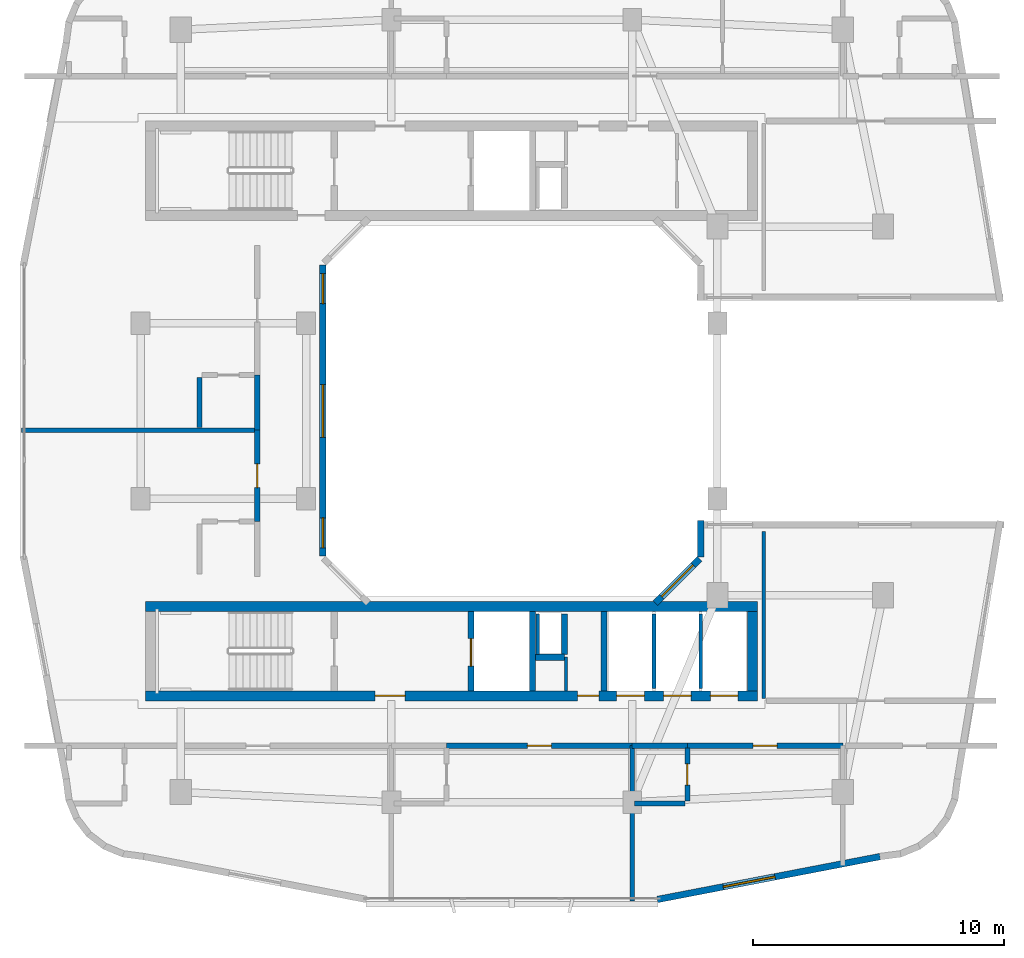
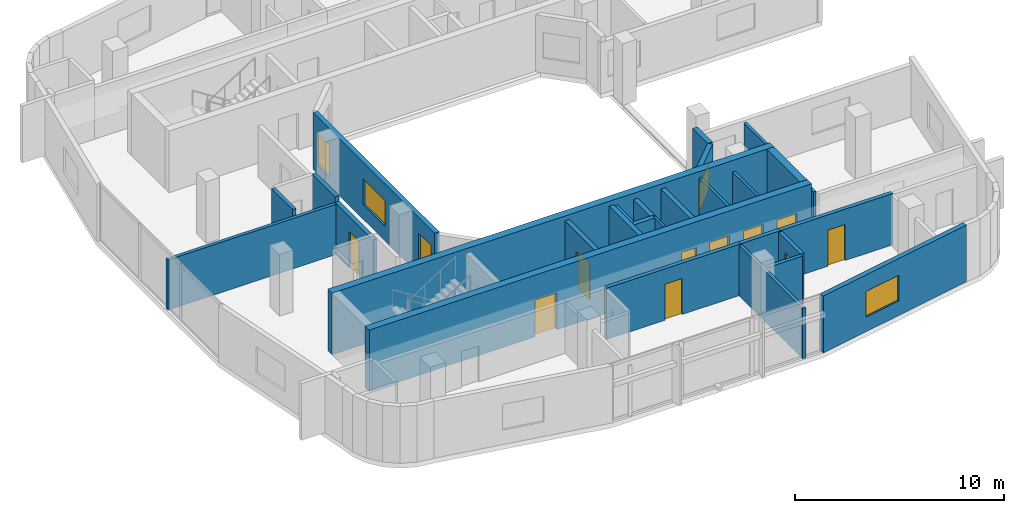
# One storey, part 5 of 12: 27 walls, 10 doors, 5 windows, 15 openings.
"""IFC4 building model written with IfcOpenShell, lengths in metres."""

from ifc_helpers import new_model, si_unit, derived_unit, direction, frame, frame_2d, origin, place, context, subcontext, project, spatial, rectangle, extrude, material, layer, layer_set, type_object, element, fill, save


model = new_model("IFC4")

# Units and contexts
model_context = context("Model", 3, precision=1e-05, world=origin(), true_north=direction((0.0, 1.0)))
body_context = subcontext(model_context, "Body", "Model", "MODEL_VIEW")
ifc_project = project(units=[si_unit("LENGTHUNIT", "METRE"), si_unit("AREAUNIT", "SQUARE_METRE"), si_unit("VOLUMEUNIT", "CUBIC_METRE"), si_unit("PLANEANGLEUNIT", "RADIAN"), si_unit("MASSUNIT", "GRAM", prefix="KILO"), derived_unit("THERMALTRANSMITTANCEUNIT", [(si_unit("POWERUNIT", "WATT"), 1), (si_unit("LENGTHUNIT", "METRE"), -2), (si_unit("THERMODYNAMICTEMPERATUREUNIT", "KELVIN"), -1)])], contexts=[model_context])

# Site, building, storey
site_placement = place(None, origin())
site = spatial("IfcSite", under=ifc_project, at=site_placement, CompositionType="ELEMENT")
building_placement = place(site_placement, origin())
building = spatial("IfcBuilding", under=site, at=building_placement, Name="Kivonza Crest Hotel", CompositionType="ELEMENT")
storey_placement = place(building_placement, frame((0.0, 0.0, 184.699951171875)))
storey = spatial("IfcBuildingStorey", under=building, at=storey_placement, Name="L50", CompositionType="ELEMENT", Elevation=184.699951171875)

# Walls
ifc_material_1 = material(Name="High-density acoustic masonry inter-tenancy wall", Category="masonry")
ifc_layer_1 = layer(ifc_material_1, 0.179931640625)
ifc_layer_set_1 = layer_set([ifc_layer_1], Name="High-density acoustic masonry inter-tenancy wall")
wall_type_1 = type_object("IfcWallType", Name="WL-ACOU-180", PredefinedType="SOLIDWALL", material=ifc_layer_set_1)
wall_1_placement = place(storey_placement, frame((25.800048828125, 5.4599609375, 0.0), z_axis=(0.0, 0.0, 1.0), x_axis=(0.0, 1.0, 0.0)))
element("IfcWall", 1, at=wall_1_placement, inside=storey, type_object=wall_type_1, Name="L50 interior partition WA-L50-T1S-DIV2", PredefinedType="SOLIDWALL", context=body_context, shape_type="SweptSolid", body=[
    extrude(rectangle(XDim=6.18994140625, YDim=0.179931640625, at=frame_2d((3.094970703125, 0.0))), origin(), (0.0, 0.0, 1.0), 2.93505859375),
])
wall_2_placement = place(storey_placement, frame((1.4599609375, 24.22998046875, 0.0), z_axis=(0.0, 0.0, 1.0), x_axis=(1.0, 0.0, 0.0)))
element("IfcWall", 2, at=wall_2_placement, inside=storey, type_object=wall_type_1, Name="L50 interior partition WA-L50-T1W-DIV1", PredefinedType="SOLIDWALL", context=body_context, shape_type="SweptSolid", body=[
    extrude(rectangle(XDim=9.39013671875, YDim=0.179931640625, at=frame_2d((4.695068359375, 0.0))), origin(), (0.0, 0.0, 1.0), 2.93505859375),
])

# Wall, opening, door
ifc_material_2 = material(Name="Autoclaved aerated concrete blockwork", Category="masonry")
ifc_layer_2 = layer(ifc_material_2, 0.219970703125)
ifc_layer_set_2 = layer_set([ifc_layer_2], Name="Autoclaved aerated concrete blockwork")
wall_type_2 = type_object("IfcWallType", Name="WL-ACOU-220", PredefinedType="SOLIDWALL", material=ifc_layer_set_2)
wall_3_placement = place(storey_placement, frame((18.39990234375, 11.64990234375, 0.0), z_axis=(0.0, 0.0, 1.0), x_axis=(1.0, 0.0, 0.0)))
wall_3 = element("IfcWall", 3, at=wall_3_placement, inside=storey, type_object=wall_type_2, Name="L50 interior partition WA-L50-S05-MCORR", PredefinedType="SOLIDWALL", context=body_context, shape_type="SweptSolid", body=[
    extrude(rectangle(XDim=7.400146484375, YDim=0.219970703125, at=frame_2d((3.7001953125, 0.0))), origin(), (0.0, 0.0, 1.0), 2.9951171875),
])
opening_1_placement = place(wall_3_placement, frame((3.22509765625, 0.0, 0.0)))
opening_1 = element("IfcOpeningElement", 4, at=opening_1_placement, cuts=wall_3, Name="Opening DU-60", PredefinedType="OPENING", context=body_context, shape_type="SweptSolid", body=[
    extrude(rectangle(XDim=0.949951171875, YDim=2.10009765625, at=frame_2d((0.47509765625, 1.050048828125))), frame((0.0, 0.1201171875, 0.0), z_axis=(0.0, -1.0, 0.0), x_axis=(1.0, 0.0, 0.0)), (0.0, 0.0, 1.0), 0.239990234375),
])
ifc_material_3 = material(Name="Hardwood timber oak", Category="wood")
door_type_1 = type_object("IfcDoorType", Name="DR-UNIT-950", OperationType="NOTDEFINED", PredefinedType="DOOR", material=ifc_material_3)
door_1_placement = place(opening_1_placement, frame((0.949951171875, 0.0, 0.0), z_axis=(0.0, 0.0, 1.0), x_axis=(-1.0, 0.0, 0.0)))
door_1 = element("IfcDoor", 5, at=door_1_placement, inside=storey, type_object=door_type_1, Name="L50 S05 guest unit entrance fire door", OperationType="SINGLE_SWING_LEFT", OverallHeight=2.10009765625, OverallWidth=0.949951171875, PredefinedType="DOOR", context=body_context, shape_type="SweptSolid", body=[
    extrude(rectangle(XDim=0.949951171875, YDim=2.10009765625, at=frame_2d((0.47509765625, 1.050048828125))), frame((0.0, 0.02490234375, 0.0), z_axis=(0.0, -1.0, 0.0), x_axis=(1.0, 0.0, 0.0)), (0.0, 0.0, 1.0), 0.050048828125),
])
fill(opening_1, door_1)

# Wall
wall_4_placement = place(storey_placement, frame((25.800048828125, 11.64990234375, 0.0), z_axis=(0.0, 0.0, 1.0), x_axis=(1.0, 0.0, 0.0)))
element("IfcWall", 6, at=wall_4_placement, inside=storey, type_object=wall_type_2, Name="L50 interior partition WA-L50-S06-BCORR", PredefinedType="SOLIDWALL", context=body_context, shape_type="SweptSolid", body=[
    extrude(rectangle(XDim=2.199951171875, YDim=0.219970703125, at=frame_2d((1.10009765625, 0.0))), origin(), (0.0, 0.0, 1.0), 2.9951171875),
])

# Wall, opening, door
wall_5_placement = place(storey_placement, frame((28.0, 11.64990234375, 0.0), z_axis=(0.0, 0.0, 1.0), x_axis=(1.0, 0.0, 0.0)))
wall_5 = element("IfcWall", 7, at=wall_5_placement, inside=storey, type_object=wall_type_2, Name="L50 interior partition WA-L50-S06-MCORR", PredefinedType="SOLIDWALL", context=body_context, shape_type="SweptSolid", body=[
    extrude(rectangle(XDim=6.199951171875, YDim=0.219970703125, at=frame_2d((3.10009765625, 0.0))), origin(), (0.0, 0.0, 1.0), 2.9951171875),
])
opening_2_placement = place(wall_5_placement, frame((2.625, 0.0, 0.0)))
opening_2 = element("IfcOpeningElement", 8, at=opening_2_placement, cuts=wall_5, Name="Opening DU-60", PredefinedType="OPENING", context=body_context, shape_type="SweptSolid", body=[
    extrude(rectangle(XDim=0.949951171875, YDim=2.10009765625, at=frame_2d((0.47509765625, 1.050048828125))), frame((0.0, 0.1201171875, 0.0), z_axis=(0.0, -1.0, 0.0), x_axis=(1.0, 0.0, 0.0)), (0.0, 0.0, 1.0), 0.239990234375),
])
door_2_placement = place(opening_2_placement, frame((0.949951171875, 0.0, 0.0), z_axis=(0.0, 0.0, 1.0), x_axis=(-1.0, 0.0, 0.0)))
door_2 = element("IfcDoor", 9, at=door_2_placement, inside=storey, type_object=door_type_1, Name="L50 S06 guest unit entrance fire door", OperationType="SINGLE_SWING_RIGHT", OverallHeight=2.10009765625, OverallWidth=0.949951171875, PredefinedType="DOOR", context=body_context, shape_type="SweptSolid", body=[
    extrude(rectangle(XDim=0.949951171875, YDim=2.10009765625, at=frame_2d((0.47509765625, 1.050048828125))), frame((0.0, 0.02490234375, 0.0), z_axis=(0.0, -1.0, 0.0), x_axis=(1.0, 0.0, 0.0)), (0.0, 0.0, 1.0), 0.050048828125),
])
fill(opening_2, door_2)

wall_6_placement = place(storey_placement, frame((10.85009765625, 20.60009765625, 0.0), z_axis=(0.0, 0.0, 1.0), x_axis=(0.0, 1.0, 0.0)))
wall_6 = element("IfcWall", 10, at=wall_6_placement, inside=storey, type_object=wall_type_2, Name="L50 interior partition WA-L50-W07-MCORR", PredefinedType="SOLIDWALL", context=body_context, shape_type="SweptSolid", body=[
    extrude(rectangle(XDim=3.6298828125, YDim=0.219970703125, at=frame_2d((1.81494140625, 0.0))), origin(), (0.0, 0.0, 1.0), 2.9951171875),
])
opening_3_placement = place(wall_6_placement, frame((1.340087890625, 0.0, 0.0)))
opening_3 = element("IfcOpeningElement", 11, at=opening_3_placement, cuts=wall_6, Name="Opening DU-60", PredefinedType="OPENING", context=body_context, shape_type="SweptSolid", body=[
    extrude(rectangle(XDim=0.949951171875, YDim=2.10009765625, at=frame_2d((0.47509765625, 1.050048828125))), frame((0.0, 0.1201171875, 0.0), z_axis=(0.0, -1.0, 0.0), x_axis=(1.0, 0.0, 0.0)), (0.0, 0.0, 1.0), 0.239990234375),
])
door_3_placement = place(opening_3_placement, origin())
door_3 = element("IfcDoor", 12, at=door_3_placement, inside=storey, type_object=door_type_1, Name="L50 W07 guest unit entrance fire door", OperationType="SINGLE_SWING_LEFT", OverallHeight=2.10009765625, OverallWidth=0.949951171875, PredefinedType="DOOR", context=body_context, shape_type="SweptSolid", body=[
    extrude(rectangle(XDim=0.949951171875, YDim=2.10009765625, at=frame_2d((0.47509765625, 1.050048828125))), frame((0.0, 0.02490234375, 0.0), z_axis=(0.0, -1.0, 0.0), x_axis=(1.0, 0.0, 0.0)), (0.0, 0.0, 1.0), 0.050048828125),
])
fill(opening_3, door_3)

# Wall
wall_7_placement = place(storey_placement, frame((10.85009765625, 24.22998046875, 0.0), z_axis=(0.0, 0.0, 1.0), x_axis=(0.0, 1.0, 0.0)))
element("IfcWall", 13, at=wall_7_placement, inside=storey, type_object=wall_type_2, Name="L50 interior partition WA-L50-W08-BCORR", PredefinedType="SOLIDWALL", context=body_context, shape_type="SweptSolid", body=[
    extrude(rectangle(XDim=2.199951171875, YDim=0.219970703125, at=frame_2d((1.10009765625, 0.0))), origin(), (0.0, 0.0, 1.0), 3.320068359375),
])

# Wall, openings, doors
ifc_material_4 = material(Name="Concrete C50/60", Category="concrete")
ifc_layer_3 = layer(ifc_material_4, 0.39990234375)
ifc_layer_set_3 = layer_set([ifc_layer_3], Name="Concrete C50/60")
wall_type_3 = type_object("IfcWallType", Name="WL-CORE-400", PredefinedType="SHEAR", material=ifc_layer_set_3)
wall_8_placement = place(storey_placement, frame((6.39990234375, 13.639892578125, 0.0), z_axis=(0.0, 0.0, 1.0), x_axis=(1.0, 0.0, 0.0)))
wall_8 = element("IfcWall", 14, at=wall_8_placement, inside=storey, type_object=wall_type_3, Name="Core wall T1-S South L50", PredefinedType="SHEAR", context=body_context, shape_type="SweptSolid", body=[
    extrude(rectangle(XDim=24.400146484375, YDim=0.39990234375, at=frame_2d((12.2001953125, 0.0))), origin(), (0.0, 0.0, 1.0), 3.60009765625),
])
opening_4_placement = place(wall_8_placement, frame((9.14990234375, 0.0, 0.0)))
opening_4 = element("IfcOpeningElement", 15, at=opening_4_placement, cuts=wall_8, Name="Opening DF-60", PredefinedType="OPENING", context=body_context, shape_type="SweptSolid", body=[
    extrude(rectangle(XDim=1.199951171875, YDim=2.14990234375, at=frame_2d((0.60009765625, 1.074951171875))), frame((0.0, 0.2099609375, 0.0), z_axis=(0.0, -1.0, 0.0), x_axis=(1.0, 0.0, 0.0)), (0.0, 0.0, 1.0), 0.419921875),
])
opening_5_placement = place(wall_8_placement, frame((17.219970703125, 0.0, 0.0)))
opening_5 = element("IfcOpeningElement", 16, at=opening_5_placement, cuts=wall_8, Name="Opening DF-60R", PredefinedType="OPENING", context=body_context, shape_type="SweptSolid", body=[
    extrude(rectangle(XDim=0.85009765625, YDim=2.10009765625, at=frame_2d((0.425048828125, 1.050048828125))), frame((0.0, 0.2099609375, 0.0), z_axis=(0.0, -1.0, 0.0), x_axis=(1.0, 0.0, 0.0)), (0.0, 0.0, 1.0), 0.419921875),
])
opening_6_placement = place(wall_8_placement, frame((18.782958984375, 0.0, 0.0)))
opening_6 = element("IfcOpeningElement", 17, at=opening_6_placement, cuts=wall_8, Name="Opening LD-120", PredefinedType="OPENING", context=body_context, shape_type="SweptSolid", body=[
    extrude(rectangle(XDim=1.10009765625, YDim=2.14990234375, at=frame_2d((0.550048828125, 1.074951171875))), frame((0.0, 0.2099609375, 0.0), z_axis=(0.0, -1.0, 0.0), x_axis=(1.0, 0.0, 0.0)), (0.0, 0.0, 1.0), 0.419921875),
])
opening_7_placement = place(wall_8_placement, frame((20.64990234375, 0.0, 0.0)))
opening_7 = element("IfcOpeningElement", 18, at=opening_7_placement, cuts=wall_8, Name="Opening LD-120", PredefinedType="OPENING", context=body_context, shape_type="SweptSolid", body=[
    extrude(rectangle(XDim=1.10009765625, YDim=2.14990234375, at=frame_2d((0.550048828125, 1.074951171875))), frame((0.0, 0.2099609375, 0.0), z_axis=(0.0, -1.0, 0.0), x_axis=(1.0, 0.0, 0.0)), (0.0, 0.0, 1.0), 0.419921875),
])
opening_8_placement = place(wall_8_placement, frame((22.51708984375, 0.0, 0.0)))
opening_8 = element("IfcOpeningElement", 19, at=opening_8_placement, cuts=wall_8, Name="Opening LD-120", PredefinedType="OPENING", context=body_context, shape_type="SweptSolid", body=[
    extrude(rectangle(XDim=1.10009765625, YDim=2.14990234375, at=frame_2d((0.550048828125, 1.074951171875))), frame((0.0, 0.2099609375, 0.0), z_axis=(0.0, -1.0, 0.0), x_axis=(1.0, 0.0, 0.0)), (0.0, 0.0, 1.0), 0.419921875),
])
door_type_2 = type_object("IfcDoorType", Name="DR-FD60-1200", OperationType="NOTDEFINED", PredefinedType="DOOR", material=ifc_material_3)
door_4_placement = place(opening_4_placement, frame((1.199951171875, 0.0, 0.0), z_axis=(0.0, 0.0, 1.0), x_axis=(-1.0, 0.0, 0.0)))
door_4 = element("IfcDoor", 20, at=door_4_placement, inside=storey, type_object=door_type_2, Name="L50 T1-S firefighting lobby fire door", OperationType="SINGLE_SWING_LEFT", OverallHeight=2.14990234375, OverallWidth=1.199951171875, PredefinedType="DOOR", context=body_context, shape_type="SweptSolid", body=[
    extrude(rectangle(XDim=1.199951171875, YDim=2.14990234375, at=frame_2d((0.60009765625, 1.074951171875))), frame((0.0, 0.02490234375, 0.0), z_axis=(0.0, -1.0, 0.0), x_axis=(1.0, 0.0, 0.0)), (0.0, 0.0, 1.0), 0.050048828125),
])
fill(opening_4, door_4)
door_type_3 = type_object("IfcDoorType", Name="DR-FD60-850", OperationType="NOTDEFINED", PredefinedType="DOOR", material=ifc_material_3)
door_5_placement = place(opening_5_placement, frame((0.85009765625, 0.0, 0.0), z_axis=(0.0, 0.0, 1.0), x_axis=(-1.0, 0.0, 0.0)))
door_5 = element("IfcDoor", 21, at=door_5_placement, inside=storey, type_object=door_type_3, Name="L50 T1-S core room door", OperationType="SINGLE_SWING_RIGHT", OverallHeight=2.10009765625, OverallWidth=0.85009765625, PredefinedType="DOOR", context=body_context, shape_type="SweptSolid", body=[
    extrude(rectangle(XDim=0.85009765625, YDim=2.10009765625, at=frame_2d((0.425048828125, 1.050048828125))), frame((0.0, 0.02490234375, 0.0), z_axis=(0.0, -1.0, 0.0), x_axis=(1.0, 0.0, 0.0)), (0.0, 0.0, 1.0), 0.050048828125),
])
fill(opening_5, door_5)
ifc_material_5 = material(Name="Stainless steel", Category="steel")
door_type_4 = type_object("IfcDoorType", Name="DR-LD120-1100", OperationType="NOTDEFINED", PredefinedType="DOOR", material=ifc_material_5)
door_6_placement = place(opening_6_placement, frame((1.10009765625, 0.0, 0.0), z_axis=(0.0, 0.0, 1.0), x_axis=(-1.0, 0.0, 0.0)))
door_6 = element("IfcDoor", 22, at=door_6_placement, inside=storey, type_object=door_type_4, Name="L50 PL-T1-H1 passenger lift sliding landing door", OperationType="DOUBLE_DOOR_SLIDING", OverallHeight=2.14990234375, OverallWidth=1.10009765625, PredefinedType="DOOR", context=body_context, shape_type="SweptSolid", body=[
    extrude(rectangle(XDim=1.10009765625, YDim=2.14990234375, at=frame_2d((0.550048828125, 1.074951171875))), frame((0.0, 0.02490234375, 0.0), z_axis=(0.0, -1.0, 0.0), x_axis=(1.0, 0.0, 0.0)), (0.0, 0.0, 1.0), 0.050048828125),
])
fill(opening_6, door_6)
door_7_placement = place(opening_7_placement, frame((1.10009765625, 0.0, 0.0), z_axis=(0.0, 0.0, 1.0), x_axis=(-1.0, 0.0, 0.0)))
door_7 = element("IfcDoor", 23, at=door_7_placement, inside=storey, type_object=door_type_4, Name="L50 PL-T1-H2 passenger lift sliding landing door", OperationType="DOUBLE_DOOR_SLIDING", OverallHeight=2.14990234375, OverallWidth=1.10009765625, PredefinedType="DOOR", context=body_context, shape_type="SweptSolid", body=[
    extrude(rectangle(XDim=1.10009765625, YDim=2.14990234375, at=frame_2d((0.550048828125, 1.074951171875))), frame((0.0, 0.02490234375, 0.0), z_axis=(0.0, -1.0, 0.0), x_axis=(1.0, 0.0, 0.0)), (0.0, 0.0, 1.0), 0.050048828125),
])
fill(opening_7, door_7)
door_8_placement = place(opening_8_placement, frame((1.10009765625, 0.0, 0.0), z_axis=(0.0, 0.0, 1.0), x_axis=(-1.0, 0.0, 0.0)))
door_8 = element("IfcDoor", 24, at=door_8_placement, inside=storey, type_object=door_type_4, Name="L50 PL-T1-H3 passenger lift sliding landing door", OperationType="DOUBLE_DOOR_SLIDING", OverallHeight=2.14990234375, OverallWidth=1.10009765625, PredefinedType="DOOR", context=body_context, shape_type="SweptSolid", body=[
    extrude(rectangle(XDim=1.10009765625, YDim=2.14990234375, at=frame_2d((0.550048828125, 1.074951171875))), frame((0.0, 0.02490234375, 0.0), z_axis=(0.0, -1.0, 0.0), x_axis=(1.0, 0.0, 0.0)), (0.0, 0.0, 1.0), 0.050048828125),
])
fill(opening_8, door_8)

# Walls
wall_9_placement = place(storey_placement, frame((6.39990234375, 17.199951171875, 0.0), z_axis=(0.0, 0.0, 1.0), x_axis=(1.0, 0.0, 0.0)))
element("IfcWall", 25, at=wall_9_placement, inside=storey, type_object=wall_type_3, Name="Core wall T1-S North L50", PredefinedType="SHEAR", context=body_context, shape_type="SweptSolid", body=[
    extrude(rectangle(XDim=24.400146484375, YDim=0.39990234375, at=frame_2d((12.2001953125, 0.0))), origin(), (0.0, 0.0, 1.0), 3.60009765625),
])
wall_10_placement = place(storey_placement, frame((30.60009765625, 13.840087890625, 0.0), z_axis=(0.0, 0.0, 1.0), x_axis=(0.0, 1.0, 0.0)))
element("IfcWall", 26, at=wall_10_placement, inside=storey, type_object=wall_type_3, Name="Core wall T1-S East L50", PredefinedType="SHEAR", context=body_context, shape_type="SweptSolid", body=[
    extrude(rectangle(XDim=3.159912109375, YDim=0.39990234375, at=frame_2d((1.580078125, 0.0))), origin(), (0.0, 0.0, 1.0), 3.60009765625),
])

# Wall, opening, window
ifc_material_6 = material(Name="Precast concrete C40/50", Category="concrete")
ifc_layer_4 = layer(ifc_material_6, 0.260009765625)
ifc_layer_set_4 = layer_set([ifc_layer_4], Name="Precast concrete C40/50")
wall_type_4 = type_object("IfcWallType", Name="WL-EXT-260", PredefinedType="STANDARD", material=ifc_layer_set_4)
wall_11_placement = place(storey_placement, frame((26.801025390625, 5.51806640625, 0.0), z_axis=(0.0, 0.0, 1.0), x_axis=(0.98192801022, 0.189254809039, 0.0)))
wall_11 = element("IfcWall", 27, at=wall_11_placement, inside=storey, type_object=wall_type_4, Name="L50 T1 exterior insulated wall 9", PredefinedType="STANDARD", context=body_context, shape_type="SweptSolid", body=[
    extrude(rectangle(XDim=9.045654296875, YDim=0.260009765625, at=frame_2d((4.52294921875, 0.0))), origin(), (0.0, 0.0, 1.0), 3.320068359375),
])
opening_9_placement = place(wall_11_placement, frame((2.680908203125, 0.0, 0.85009765625)))
opening_9 = element("IfcOpeningElement", 28, at=opening_9_placement, cuts=wall_11, Name="Opening WN-04", PredefinedType="OPENING", context=body_context, shape_type="SweptSolid", body=[
    extrude(rectangle(XDim=2.10009765625, YDim=1.5, at=frame_2d((1.050048828125, 0.75))), frame((0.0, 0.14013671875, 0.0), z_axis=(0.0, -1.0, 0.0), x_axis=(1.0, 0.0, 0.0)), (0.0, 0.0, 1.0), 0.280029296875),
])
ifc_material_7 = material(Name="Thermally broken bronze aluminium and low-E double glazing", Category="aluminium")
window_type_1 = type_object("IfcWindowType", Name="WN-210x150", PartitioningType="DOUBLE_PANEL_VERTICAL", PredefinedType="WINDOW", material=ifc_material_7)
window_1_placement = place(opening_9_placement, origin())
window_1 = element("IfcWindow", 29, at=window_1_placement, inside=storey, type_object=window_type_1, Name="L50 T1 facade window 9", OverallHeight=1.5, OverallWidth=2.10009765625, PartitioningType="SINGLE_PANEL", PredefinedType="WINDOW", context=body_context, shape_type="SweptSolid", body=[
    extrude(rectangle(XDim=2.10009765625, YDim=1.5, at=frame_2d((1.050048828125, 0.75))), frame((0.0, 0.030029296875, 0.0), z_axis=(0.0, -1.0, 0.0), x_axis=(1.0, 0.0, 0.0)), (0.0, 0.0, 1.0), 0.06005859375),
])
fill(opening_9, window_1)

# Wall
wall_12_placement = place(storey_placement, frame((28.530029296875, 20.625, 0.0), z_axis=(0.0, 0.0, 1.0), x_axis=(0.0, -1.0, 0.0)))
element("IfcWall", 30, at=wall_12_placement, inside=storey, type_object=wall_type_4, Name="L50 T1 exterior insulated wall 18", PredefinedType="STANDARD", context=body_context, shape_type="SweptSolid", body=[
    extrude(rectangle(XDim=1.449951171875, YDim=0.260009765625, at=frame_2d((0.72509765625, 0.0))), origin(), (0.0, 0.0, 1.0), 3.320068359375),
])

# Wall, opening, window
wall_13_placement = place(storey_placement, frame((28.485107421875, 19.10107421875, 0.0), z_axis=(0.0, 0.0, 1.0), x_axis=(-0.707106781187, -0.707106781187, 0.0)))
wall_13 = element("IfcWall", 31, at=wall_13_placement, inside=storey, type_object=wall_type_4, Name="L50 T1 exterior insulated wall 19", PredefinedType="STANDARD", context=body_context, shape_type="SweptSolid", body=[
    extrude(rectangle(XDim=2.493408203125, YDim=0.260009765625, at=frame_2d((1.24658203125, 0.0))), origin(), (0.0, 0.0, 1.0), 3.320068359375),
])
opening_10_placement = place(wall_13_placement, frame((0.346923828125, 0.0, 0.85009765625)))
opening_10 = element("IfcOpeningElement", 32, at=opening_10_placement, cuts=wall_13, Name="Opening WN-03", PredefinedType="OPENING", context=body_context, shape_type="SweptSolid", body=[
    extrude(rectangle(XDim=1.800048828125, YDim=1.5, at=frame_2d((0.89990234375, 0.75))), frame((0.0, 0.14013671875, 0.0), z_axis=(0.0, -1.0, 0.0), x_axis=(1.0, 0.0, 0.0)), (0.0, 0.0, 1.0), 0.280029296875),
])
window_type_2 = type_object("IfcWindowType", Name="WN-180x150", PartitioningType="DOUBLE_PANEL_VERTICAL", PredefinedType="WINDOW", material=ifc_material_7)
window_2_placement = place(opening_10_placement, origin())
window_2 = element("IfcWindow", 33, at=window_2_placement, inside=storey, type_object=window_type_2, Name="L50 T1 facade window 19", OverallHeight=1.5, OverallWidth=1.800048828125, PartitioningType="SINGLE_PANEL", PredefinedType="WINDOW", context=body_context, shape_type="SweptSolid", body=[
    extrude(rectangle(XDim=1.800048828125, YDim=1.5, at=frame_2d((0.89990234375, 0.75))), frame((0.0, 0.030029296875, 0.0), z_axis=(0.0, -1.0, 0.0), x_axis=(1.0, 0.0, 0.0)), (0.0, 0.0, 1.0), 0.06005859375),
])
fill(opening_10, window_2)

# Wall, openings, windows
wall_14_placement = place(storey_placement, frame((13.469970703125, 19.2099609375, 0.0), z_axis=(0.0, 0.0, 1.0), x_axis=(0.0, 1.0, 0.0)))
wall_14 = element("IfcWall", 34, at=wall_14_placement, inside=storey, type_object=wall_type_4, Name="L50 T1 exterior insulated wall 22", PredefinedType="STANDARD", context=body_context, shape_type="SweptSolid", body=[
    extrude(rectangle(XDim=11.614990234375, YDim=0.260009765625, at=frame_2d((5.8076171875, 0.0))), origin(), (0.0, 0.0, 1.0), 3.320068359375),
])
opening_11_placement = place(wall_14_placement, frame((0.330078125, 0.0, 0.5)))
opening_11 = element("IfcOpeningElement", 35, at=opening_11_placement, cuts=wall_14, Name="Opening WN-06", PredefinedType="OPENING", context=body_context, shape_type="SweptSolid", body=[
    extrude(rectangle(XDim=1.199951171875, YDim=1.89990234375, at=frame_2d((0.60009765625, 0.949951171875))), frame((0.0, 0.14013671875, 0.0), z_axis=(0.0, -1.0, 0.0), x_axis=(1.0, 0.0, 0.0)), (0.0, 0.0, 1.0), 0.280029296875),
])
opening_12_placement = place(wall_14_placement, frame((4.739990234375, 0.0, 0.85009765625)))
opening_12 = element("IfcOpeningElement", 36, at=opening_12_placement, cuts=wall_14, Name="Opening WN-04", PredefinedType="OPENING", context=body_context, shape_type="SweptSolid", body=[
    extrude(rectangle(XDim=2.10009765625, YDim=1.5, at=frame_2d((1.050048828125, 0.75))), frame((0.0, 0.14013671875, 0.0), z_axis=(0.0, -1.0, 0.0), x_axis=(1.0, 0.0, 0.0)), (0.0, 0.0, 1.0), 0.280029296875),
])
opening_13_placement = place(wall_14_placement, frame((10.06689453125, 0.0, 0.5)))
opening_13 = element("IfcOpeningElement", 37, at=opening_13_placement, cuts=wall_14, Name="Opening WN-06", PredefinedType="OPENING", context=body_context, shape_type="SweptSolid", body=[
    extrude(rectangle(XDim=1.199951171875, YDim=1.89990234375, at=frame_2d((0.60009765625, 0.949951171875))), frame((0.0, 0.14013671875, 0.0), z_axis=(0.0, -1.0, 0.0), x_axis=(1.0, 0.0, 0.0)), (0.0, 0.0, 1.0), 0.280029296875),
])
window_type_3 = type_object("IfcWindowType", Name="WN-120x190", PartitioningType="SINGLE_PANEL", PredefinedType="WINDOW", material=ifc_material_7)
window_3_placement = place(opening_11_placement, origin())
window_3 = element("IfcWindow", 38, at=window_3_placement, inside=storey, type_object=window_type_3, Name="L50 T1 facade window 22 bay 1", OverallHeight=1.89990234375, OverallWidth=1.199951171875, PartitioningType="SINGLE_PANEL", PredefinedType="WINDOW", context=body_context, shape_type="SweptSolid", body=[
    extrude(rectangle(XDim=1.199951171875, YDim=1.89990234375, at=frame_2d((0.60009765625, 0.949951171875))), frame((0.0, 0.030029296875, 0.0), z_axis=(0.0, -1.0, 0.0), x_axis=(1.0, 0.0, 0.0)), (0.0, 0.0, 1.0), 0.06005859375),
])
fill(opening_11, window_3)
window_4_placement = place(opening_13_placement, origin())
window_4 = element("IfcWindow", 39, at=window_4_placement, inside=storey, type_object=window_type_3, Name="L50 T1 facade window 22 bay 3", OverallHeight=1.89990234375, OverallWidth=1.199951171875, PartitioningType="SINGLE_PANEL", PredefinedType="WINDOW", context=body_context, shape_type="SweptSolid", body=[
    extrude(rectangle(XDim=1.199951171875, YDim=1.89990234375, at=frame_2d((0.60009765625, 0.949951171875))), frame((0.0, 0.030029296875, 0.0), z_axis=(0.0, -1.0, 0.0), x_axis=(1.0, 0.0, 0.0)), (0.0, 0.0, 1.0), 0.06005859375),
])
fill(opening_13, window_4)
window_5_placement = place(opening_12_placement, origin())
window_5 = element("IfcWindow", 40, at=window_5_placement, inside=storey, type_object=window_type_1, Name="L50 T1 facade window 22 bay 2", OverallHeight=1.5, OverallWidth=2.10009765625, PartitioningType="SINGLE_PANEL", PredefinedType="WINDOW", context=body_context, shape_type="SweptSolid", body=[
    extrude(rectangle(XDim=2.10009765625, YDim=1.5, at=frame_2d((1.050048828125, 0.75))), frame((0.0, 0.030029296875, 0.0), z_axis=(0.0, -1.0, 0.0), x_axis=(1.0, 0.0, 0.0)), (0.0, 0.0, 1.0), 0.06005859375),
])
fill(opening_12, window_5)

# Walls
ifc_material_8 = material(Name="Concrete blockwork fire-compartment wall", Category="masonry")
ifc_layer_5 = layer(ifc_material_8, 0.25)
ifc_layer_set_5 = layer_set([ifc_layer_5], Name="Concrete blockwork fire-compartment wall")
wall_type_5 = type_object("IfcWallType", Name="WL-FIRE-250", PredefinedType="SOLIDWALL", material=ifc_layer_set_5)
wall_15_placement = place(storey_placement, frame((23.10009765625, 15.280029296875, 0.0), z_axis=(0.0, 0.0, 1.0), x_axis=(0.0, 1.0, 0.0)))
element("IfcWall", 41, at=wall_15_placement, inside=storey, type_object=wall_type_5, Name="L50 interior partition WA-L50-T1-S-MEPR-E", PredefinedType="SOLIDWALL", context=body_context, shape_type="SweptSolid", body=[
    extrude(rectangle(XDim=1.619873046875, YDim=0.25, at=frame_2d((0.81005859375, 0.0))), origin(), (0.0, 0.0, 1.0), 3.320068359375),
])
wall_16_placement = place(storey_placement, frame((21.949951171875, 15.179931640625, 0.0), z_axis=(0.0, 0.0, 1.0), x_axis=(1.0, 0.0, 0.0)))
element("IfcWall", 42, at=wall_16_placement, inside=storey, type_object=wall_type_5, Name="L50 interior partition WA-L50-T1-S-MEPR-H", PredefinedType="SOLIDWALL", context=body_context, shape_type="SweptSolid", body=[
    extrude(rectangle(XDim=1.150146484375, YDim=0.25, at=frame_2d((0.5751953125, 0.0))), origin(), (0.0, 0.0, 1.0), 3.320068359375),
])
ifc_material_9 = material(Name="Metal-stud gypsum board partition", Category="gypsum")
ifc_layer_6 = layer(ifc_material_9, 0.125)
ifc_layer_set_6 = layer_set([ifc_layer_6], Name="Metal-stud gypsum board partition")
wall_type_6 = type_object("IfcWallType", Name="WL-PART-125", PredefinedType="PARTITIONING", material=ifc_layer_set_6)
wall_17_placement = place(storey_placement, frame((23.159912109375, 13.840087890625, 0.0), z_axis=(0.0, 0.0, 1.0), x_axis=(0.0, 1.0, 0.0)))
element("IfcWall", 43, at=wall_17_placement, inside=storey, type_object=wall_type_6, Name="L50 interior partition WP-L50-T1-S-SV1V", PredefinedType="PARTITIONING", context=body_context, shape_type="SweptSolid", body=[
    extrude(rectangle(XDim=1.33984375, YDim=0.125, at=frame_2d((0.669921875, 0.0))), origin(), (0.0, 0.0, 1.0), 3.320068359375),
])
ifc_material_10 = material(Name="Twin-stud acoustic gypsum board partition", Category="gypsum")
ifc_layer_7 = layer(ifc_material_10, 0.14990234375)
ifc_layer_set_7 = layer_set([ifc_layer_7], Name="Twin-stud acoustic gypsum board partition")
wall_type_7 = type_object("IfcWallType", Name="WL-PART-150", PredefinedType="PARTITIONING", material=ifc_layer_set_7)
wall_18_placement = place(storey_placement, frame((22.030029296875, 15.280029296875, 0.0), z_axis=(0.0, 0.0, 1.0), x_axis=(0.0, 1.0, 0.0)))
element("IfcWall", 44, at=wall_18_placement, inside=storey, type_object=wall_type_7, Name="L50 interior partition WA-L50-T1-S-MEPR-W", PredefinedType="PARTITIONING", context=body_context, shape_type="SweptSolid", body=[
    extrude(rectangle(XDim=1.619873046875, YDim=0.14990234375, at=frame_2d((0.81005859375, 0.0))), origin(), (0.0, 0.0, 1.0), 3.320068359375),
])
wall_19_placement = place(storey_placement, frame((26.6669921875, 13.93994140625, 0.0), z_axis=(0.0, 0.0, 1.0), x_axis=(0.0, 1.0, 0.0)))
element("IfcWall", 45, at=wall_19_placement, inside=storey, type_object=wall_type_7, Name="L50 interior partition WP-L50-T1-S-BSH-1", PredefinedType="PARTITIONING", context=body_context, shape_type="SweptSolid", body=[
    extrude(rectangle(XDim=2.9599609375, YDim=0.14990234375, at=frame_2d((1.47998046875, 0.0))), origin(), (0.0, 0.0, 1.0), 3.320068359375),
])
wall_20_placement = place(storey_placement, frame((28.532958984375, 13.93994140625, 0.0), z_axis=(0.0, 0.0, 1.0), x_axis=(0.0, 1.0, 0.0)))
element("IfcWall", 46, at=wall_20_placement, inside=storey, type_object=wall_type_7, Name="L50 interior partition WP-L50-T1-S-BSH-2", PredefinedType="PARTITIONING", context=body_context, shape_type="SweptSolid", body=[
    extrude(rectangle(XDim=2.9599609375, YDim=0.14990234375, at=frame_2d((1.47998046875, 0.0))), origin(), (0.0, 0.0, 1.0), 2.9951171875),
])
wall_21_placement = place(storey_placement, frame((31.050048828125, 13.5400390625, 0.0), z_axis=(0.0, 0.0, 1.0), x_axis=(0.0, 1.0, 0.0)))
element("IfcWall", 47, at=wall_21_placement, inside=storey, type_object=wall_type_7, Name="L50 interior partition WP-L50-EP1-BW", PredefinedType="PARTITIONING", context=body_context, shape_type="SweptSolid", body=[
    extrude(rectangle(XDim=6.659912109375, YDim=0.14990234375, at=frame_2d((3.330078125, 0.0))), origin(), (0.0, 0.0, 1.0), 2.9951171875),
])

# Wall, opening, door
ifc_material_11 = material(Name="Moisture-resistant plumbing chase partition wall", Category="gypsum")
ifc_layer_8 = layer(ifc_material_11, 0.199951171875)
ifc_layer_set_8 = layer_set([ifc_layer_8], Name="Moisture-resistant plumbing chase partition wall")
wall_type_8 = type_object("IfcWallType", Name="WL-PLUMB-200", PredefinedType="PLUMBINGWALL", material=ifc_layer_set_8)
wall_22_placement = place(storey_placement, frame((28.0, 9.449951171875, 0.0), z_axis=(0.0, 0.0, 1.0), x_axis=(0.0, 1.0, 0.0)))
wall_22 = element("IfcWall", 48, at=wall_22_placement, inside=storey, type_object=wall_type_8, Name="L50 interior partition WW-L50-S06-BV", PredefinedType="PLUMBINGWALL", context=body_context, shape_type="SweptSolid", body=[
    extrude(rectangle(XDim=2.10009765625, YDim=0.199951171875, at=frame_2d((1.050048828125, 0.0))), origin(), (0.0, 0.0, 1.0), 2.93505859375),
])
opening_14_placement = place(wall_22_placement, frame((0.625, 0.0, 0.0)))
opening_14 = element("IfcOpeningElement", 49, at=opening_14_placement, cuts=wall_22, Name="Opening DI-85", PredefinedType="OPENING", context=body_context, shape_type="SweptSolid", body=[
    extrude(rectangle(XDim=0.85009765625, YDim=2.10009765625, at=frame_2d((0.425048828125, 1.050048828125))), frame((0.0, 0.10986328125, 0.0), z_axis=(0.0, -1.0, 0.0), x_axis=(1.0, 0.0, 0.0)), (0.0, 0.0, 1.0), 0.219970703125),
])
door_type_5 = type_object("IfcDoorType", Name="DR-INT-850", OperationType="NOTDEFINED", PredefinedType="DOOR", material=ifc_material_3)
door_9_placement = place(opening_14_placement, frame((0.85009765625, 0.0, 0.0), z_axis=(0.0, 0.0, 1.0), x_axis=(-1.0, 0.0, 0.0)))
door_9 = element("IfcDoor", 50, at=door_9_placement, inside=storey, type_object=door_type_5, Name="L50 S06 en-suite bathroom door", OperationType="SINGLE_SWING_LEFT", OverallHeight=2.10009765625, OverallWidth=0.85009765625, PredefinedType="DOOR", context=body_context, shape_type="SweptSolid", body=[
    extrude(rectangle(XDim=0.85009765625, YDim=2.10009765625, at=frame_2d((0.425048828125, 1.050048828125))), frame((0.0, 0.02490234375, 0.0), z_axis=(0.0, -1.0, 0.0), x_axis=(1.0, 0.0, 0.0)), (0.0, 0.0, 1.0), 0.050048828125),
])
fill(opening_14, door_9)

# Walls
wall_23_placement = place(storey_placement, frame((25.89990234375, 9.35009765625, 0.0), z_axis=(0.0, 0.0, 1.0), x_axis=(1.0, 0.0, 0.0)))
element("IfcWall", 51, at=wall_23_placement, inside=storey, type_object=wall_type_8, Name="L50 interior partition WW-L50-S06-BH", PredefinedType="PLUMBINGWALL", context=body_context, shape_type="SweptSolid", body=[
    extrude(rectangle(XDim=2.0, YDim=0.199951171875, at=frame_2d((1.0, 0.0))), origin(), (0.0, 0.0, 1.0), 2.93505859375),
])
wall_24_placement = place(storey_placement, frame((8.550048828125, 24.330078125, 0.0), z_axis=(0.0, 0.0, 1.0), x_axis=(0.0, 1.0, 0.0)))
element("IfcWall", 52, at=wall_24_placement, inside=storey, type_object=wall_type_8, Name="L50 interior partition WW-L50-W08-BV", PredefinedType="PLUMBINGWALL", context=body_context, shape_type="SweptSolid", body=[
    extrude(rectangle(XDim=2.0, YDim=0.199951171875, at=frame_2d((1.0, 0.0))), origin(), (0.0, 0.0, 1.0), 3.320068359375),
])

# Wall, opening, door
ifc_layer_9 = layer(ifc_material_4, 0.25)
ifc_layer_set_9 = layer_set([ifc_layer_9], Name="Concrete C50/60")
wall_type_9 = type_object("IfcWallType", Name="WL-SHAFT-250", PredefinedType="STANDARD", material=ifc_layer_set_9)
wall_25_placement = place(storey_placement, frame((19.375, 13.840087890625, 0.0), z_axis=(0.0, 0.0, 1.0), x_axis=(0.0, 1.0, 0.0)))
wall_25 = element("IfcWall", 53, at=wall_25_placement, inside=storey, type_object=wall_type_9, Name="Core shaft wall T1-S FFL-W L50", PredefinedType="STANDARD", context=body_context, shape_type="SweptSolid", body=[
    extrude(rectangle(XDim=3.159912109375, YDim=0.25, at=frame_2d((1.580078125, 0.0))), origin(), (0.0, 0.0, 1.0), 3.320068359375),
])
opening_15_placement = place(wall_25_placement, frame((0.97998046875, 0.0, 0.0)))
opening_15 = element("IfcOpeningElement", 54, at=opening_15_placement, cuts=wall_25, Name="Opening LD-120", PredefinedType="OPENING", context=body_context, shape_type="SweptSolid", body=[
    extrude(rectangle(XDim=1.10009765625, YDim=2.14990234375, at=frame_2d((0.550048828125, 1.074951171875))), frame((0.0, 0.135009765625, 0.0), z_axis=(0.0, -1.0, 0.0), x_axis=(1.0, 0.0, 0.0)), (0.0, 0.0, 1.0), 0.27001953125),
])
door_10_placement = place(opening_15_placement, origin())
door_10 = element("IfcDoor", 55, at=door_10_placement, inside=storey, type_object=door_type_4, Name="L50 FFL-T1-S firefighting lift sliding landing door", OperationType="DOUBLE_DOOR_SLIDING", OverallHeight=2.14990234375, OverallWidth=1.10009765625, PredefinedType="DOOR", context=body_context, shape_type="SweptSolid", body=[
    extrude(rectangle(XDim=1.10009765625, YDim=2.14990234375, at=frame_2d((0.550048828125, 1.074951171875))), frame((0.0, 0.02490234375, 0.0), z_axis=(0.0, -1.0, 0.0), x_axis=(1.0, 0.0, 0.0)), (0.0, 0.0, 1.0), 0.050048828125),
])
fill(opening_15, door_10)

# Walls
for number, where, z_axis, x_axis, name in (
    (56, (21.824951171875, 13.840087890625, 0.0), (0.0, 0.0, 1.0), (0.0, 1.0, 0.0), "Core shaft wall T1-S FFL-E L50"),
    (57, (24.675048828125, 13.840087890625, 0.0), (0.0, 0.0, 1.0), (0.0, 1.0, 0.0), "Core shaft wall T1-S BANK-W L50"),
):
    element("IfcWall", number, at=place(storey_placement, frame(where, z_axis=z_axis, x_axis=x_axis)), inside=storey, type_object=wall_type_9, Name=name, PredefinedType="STANDARD", context=body_context, shape_type="SweptSolid", body=[
        extrude(rectangle(XDim=3.159912109375, YDim=0.25, at=frame_2d((1.580078125, 0.0))), origin(), (0.0, 0.0, 1.0), 3.320068359375),
    ])

save(model, "model.ifc")
